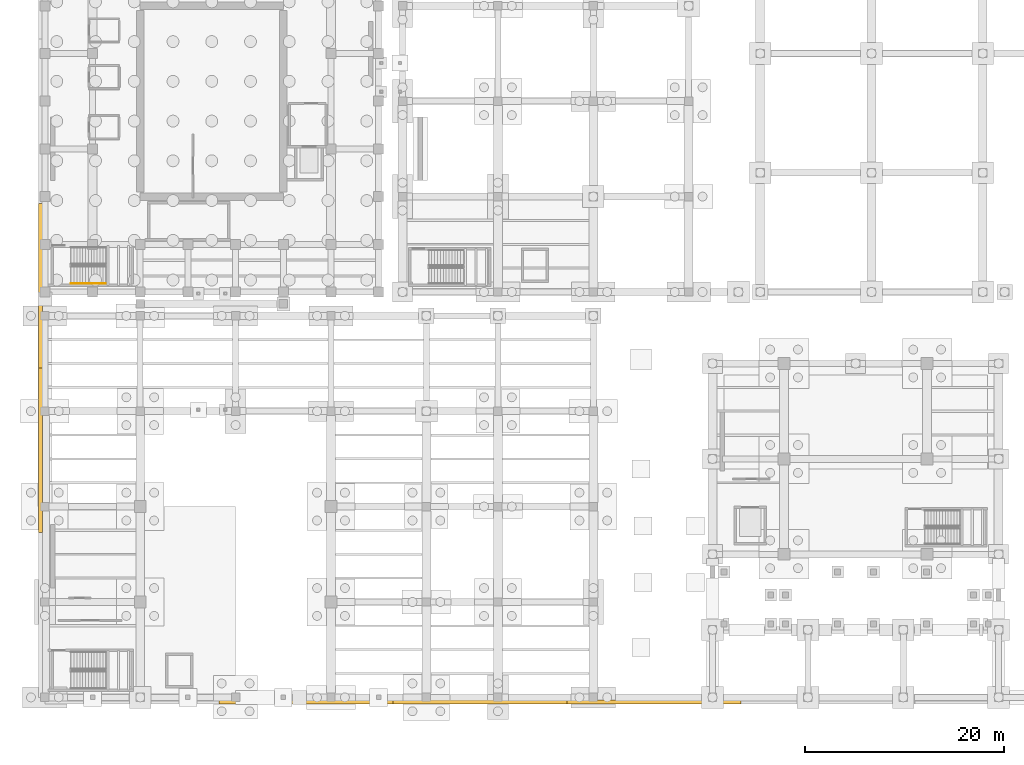
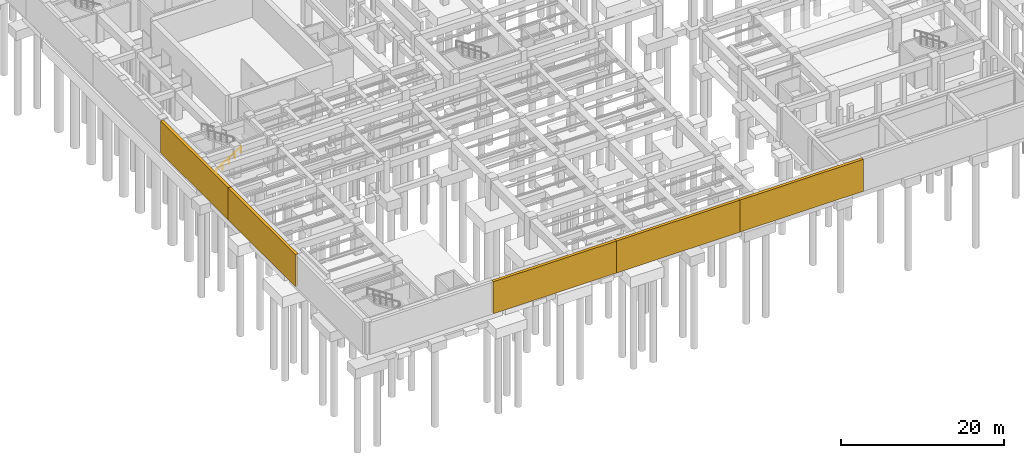
# One storey, part 44 of 56: 5 coverings, 1 railing.
"""IFC4 building model written with IfcOpenShell, lengths in metres."""

from ifc_helpers import new_model, si_unit, direction, frame, origin, origin_2d, place, context, subcontext, project, spatial, polyline, circle, outline, extrude, material, layer, layer_set, type_object, element, save


model = new_model("IFC4")

# Units and contexts
model_context = context("Model", 3, precision=1e-05, world=origin(), true_north=direction((0.0, 1.0)))
body_context = subcontext(model_context, "Body", "Model", "MODEL_VIEW")
ifc_project = project(units=[si_unit("LENGTHUNIT", "METRE"), si_unit("AREAUNIT", "SQUARE_METRE"), si_unit("VOLUMEUNIT", "CUBIC_METRE"), si_unit("PLANEANGLEUNIT", "RADIAN"), si_unit("MASSUNIT", "GRAM", prefix="KILO")], contexts=[model_context])

# Site, building, storey
site_placement = place(None, origin())
site = spatial("IfcSite", under=ifc_project, at=site_placement, CompositionType="ELEMENT")
building_placement = place(site_placement, origin())
building = spatial("IfcBuilding", under=site, at=building_placement, Name="Mavantir Sound Aquarium", CompositionType="ELEMENT")
storey_placement = place(building_placement, frame((0.0, 0.0, -9.60009765625)))
storey = spatial("IfcBuildingStorey", under=building, at=storey_placement, Name="B2", CompositionType="ELEMENT", Elevation=-9.60009765625)

# Coverings
ifc_material_1 = material(Name="Honed Coral-Limestone & Glazed Terracotta Rainscreen Cladding", Category="masonry")
ifc_layer = layer(ifc_material_1, 0.06005859375, Name="Honed Coral-Limestone & Glazed Terracotta Rainscreen Cladding")
ifc_layer_set = layer_set([ifc_layer], Name="Honed Coral-Limestone & Glazed Terracotta Rainscreen Cladding")
covering_type = type_object("IfcCoveringType", Name="COV-CLAD-TC", PredefinedType="CLADDING", material=ifc_layer_set)
covering_1_placement = place(storey_placement, origin())
element("IfcCovering", 1, at=covering_1_placement, inside=storey, type_object=covering_type, Name="B2 rusticated coral-stone plinth cladding 40", PredefinedType="CLADDING", context=body_context, shape_type="SweptSolid", body=[
    extrude(outline(polyline([(-0.25, 49.71435546875), (-0.25, 33.142822265625), (-0.659912109375, 33.142822265625), (-0.659912109375, 49.71435546875), (-0.25, 49.71435546875)])), origin(), (0.0, 0.0, 1.0), 4.800048828125),
])
covering_2_placement = place(storey_placement, origin())
element("IfcCovering", 2, at=covering_2_placement, inside=storey, type_object=covering_type, Name="B2 rusticated coral-stone plinth cladding 41", PredefinedType="CLADDING", context=body_context, shape_type="SweptSolid", body=[
    extrude(outline(polyline([(-0.25, 33.142822265625), (-0.25, 16.5712890625), (-0.659912109375, 16.5712890625), (-0.659912109375, 33.142822265625), (-0.25, 33.142822265625)])), origin(), (0.0, 0.0, 1.0), 4.800048828125),
])
covering_3_placement = place(storey_placement, origin())
element("IfcCovering", 3, at=covering_3_placement, inside=storey, type_object=covering_type, Name="B2 rusticated coral-stone plinth cladding 44", PredefinedType="CLADDING", context=body_context, shape_type="SweptSolid", body=[
    extrude(outline(polyline([(17.52001953125, -0.25), (35.0400390625, -0.25), (35.0400390625, -0.659912109375), (17.52001953125, -0.659912109375), (17.52001953125, -0.25)])), origin(), (0.0, 0.0, 1.0), 4.800048828125),
])
covering_4_placement = place(storey_placement, origin())
element("IfcCovering", 4, at=covering_4_placement, inside=storey, type_object=covering_type, Name="B2 rusticated coral-stone plinth cladding 45", PredefinedType="CLADDING", context=body_context, shape_type="SweptSolid", body=[
    extrude(outline(polyline([(35.0400390625, -0.25), (52.56005859375, -0.25), (52.56005859375, -0.659912109375), (35.0400390625, -0.659912109375), (35.0400390625, -0.25)])), origin(), (0.0, 0.0, 1.0), 4.800048828125),
])
covering_5_placement = place(storey_placement, origin())
element("IfcCovering", 5, at=covering_5_placement, inside=storey, type_object=covering_type, Name="B2 rusticated coral-stone plinth cladding 46", PredefinedType="CLADDING", context=body_context, shape_type="SweptSolid", body=[
    extrude(outline(polyline([(52.56005859375, -0.25), (70.080078125, -0.25), (70.080078125, -0.659912109375), (52.56005859375, -0.659912109375), (52.56005859375, -0.25)])), origin(), (0.0, 0.0, 1.0), 4.800048828125),
])

# Railing
ifc_material_2 = material(Name="Brushed Stainless Steel 316 Handrail", Category="steel")
railing_type = type_object("IfcRailingType", Name="RL-HR-90", PredefinedType="HANDRAIL", material=ifc_material_2)
railing_placement = place(storey_placement, frame((2.64990234375, 41.64990234375, 0.36962890625)))
element("IfcRailing", 6, at=railing_placement, inside=storey, type_object=railing_type, Name="B2 ST1 stair handrail 1", PredefinedType="HANDRAIL", context=body_context, shape_type="SweptSolid", body=[
    extrude(circle(Radius=0.02392578125, at=origin_2d()), frame((0.0, 0.0, 0.89111328125), z_axis=(0.843546938479, 0.0, 0.53705545578), x_axis=(0.0, 1.0, 0.0)), (0.0, 0.0, 1.0), 4.12548828125),
    extrude(circle(Radius=0.02099609375, at=origin_2d()), origin(), (0.0, 0.0, 1.0), 0.866943359375),
    extrude(circle(Radius=0.02099609375, at=origin_2d()), frame((0.8701171875, 0.0, 0.553955078125)), (0.0, 0.0, 1.0), 0.866943359375),
    extrude(circle(Radius=0.02099609375, at=origin_2d()), frame((1.739990234375, 0.0, 1.10791015625)), (0.0, 0.0, 1.0), 0.866943359375),
    extrude(circle(Radius=0.02099609375, at=origin_2d()), frame((2.60986328125, 0.0, 1.66162109375)), (0.0, 0.0, 1.0), 0.866943359375),
    extrude(circle(Radius=0.02099609375, at=origin_2d()), frame((3.47998046875, 0.0, 2.215576171875)), (0.0, 0.0, 1.0), 0.866943359375),
])

save(model, "model.ifc")
